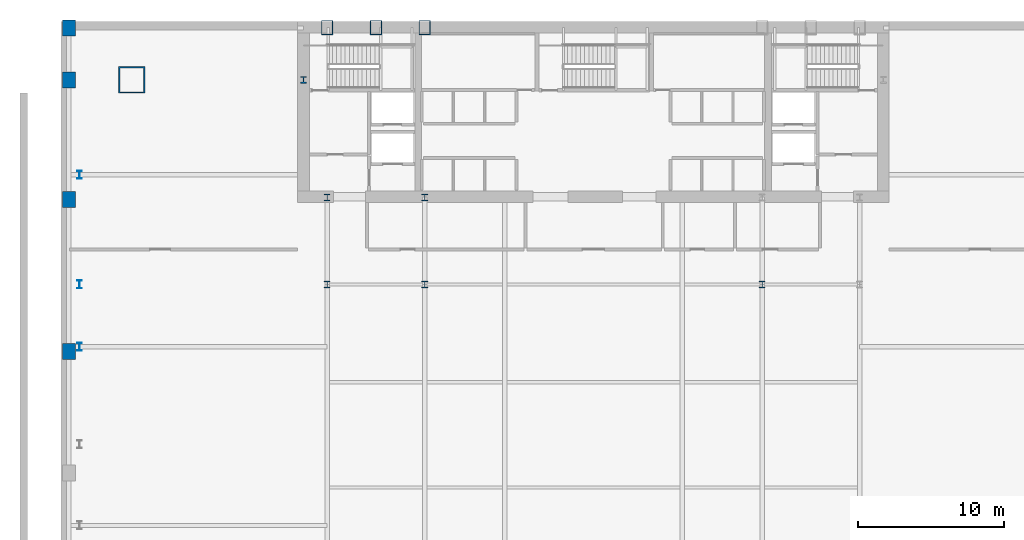
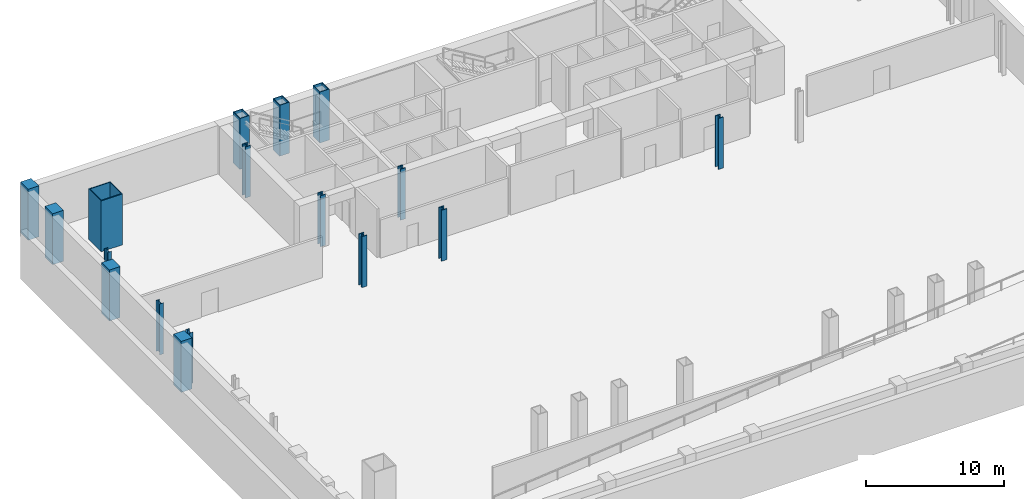
# One storey, part 3 of 10: 17 columns.
"""IFC4 building model written with IfcOpenShell, lengths in metres."""

from ifc_helpers import new_model, si_unit, direction, frame, origin, origin_2d, place, context, subcontext, project, spatial, rectangle, hollow_rectangle, i_section, extrude, material, material_profile, profile_set, type_object, element, save


model = new_model("IFC4")

# Units and contexts
model_context = context("Model", 3, precision=1e-05, world=origin(), true_north=direction((0.0, 1.0)))
body_context = subcontext(model_context, "Body", "Model", "MODEL_VIEW")
ifc_project = project(units=[si_unit("LENGTHUNIT", "METRE"), si_unit("AREAUNIT", "SQUARE_METRE"), si_unit("VOLUMEUNIT", "CUBIC_METRE"), si_unit("PLANEANGLEUNIT", "RADIAN"), si_unit("MASSUNIT", "GRAM", prefix="KILO")], contexts=[model_context])

# Site, building, storey
site_placement = place(None, origin())
site = spatial("IfcSite", under=ifc_project, at=site_placement, CompositionType="ELEMENT")
building_placement = place(site_placement, origin())
building = spatial("IfcBuilding", under=site, at=building_placement, Name="Khoronbel Lancet Exchange", CompositionType="ELEMENT")
storey_placement = place(building_placement, frame((0.0, 0.0, -4.5)))
storey = spatial("IfcBuildingStorey", under=building, at=storey_placement, Name="B1", CompositionType="ELEMENT", Elevation=-4.5)

# Columns
ifc_material_1 = material(Name="Steel S460", Category="steel")
ifc_material_profile_1 = material_profile(ifc_material_1, hollow_rectangle(XDim=0.800048828125, YDim=1.0, WallThickness=0.054931640625, at=origin_2d()), Name="BOX 1000x800x55")
ifc_profile_set_1 = profile_set([ifc_material_profile_1], Name="Steel S460")
column_type_1 = type_object("IfcColumnType", Name="COL-EC1", PredefinedType="COLUMN", material=ifc_profile_set_1)
for number, where, z_axis, x_axis, name in (
    (1, (18.22509765625, 53.280029296875, 0.0), (0.0, 0.0, 1.0), (1.0, 0.0, 0.0), "Structural column NC-W1 B1"),
    (2, (21.5625, 53.280029296875, 0.0), (0.0, 0.0, 1.0), (1.0, 0.0, 0.0), "Structural column NC-WM B1"),
    (3, (24.89990234375, 53.280029296875, 0.0), (0.0, 0.0, 1.0), (1.0, 0.0, 0.0), "Structural column NC-W2 B1"),
):
    element("IfcColumn", number, at=place(storey_placement, frame(where, z_axis=z_axis, x_axis=x_axis)), inside=storey, type_object=column_type_1, Name=name, PredefinedType="COLUMN", context=body_context, shape_type="SweptSolid", body=[
        extrude(hollow_rectangle(XDim=0.800048828125, YDim=1.0, WallThickness=0.054931640625, at=origin_2d()), origin(), (0.0, 0.0, 1.0), 4.5),
    ])
ifc_material_profile_2 = material_profile(ifc_material_1, i_section(OverallWidth=0.424072265625, OverallDepth=0.47412109375, WebThickness=0.047607421875, FlangeThickness=0.076904296875, at=origin_2d()), Name="HD 400x634")
ifc_profile_set_2 = profile_set([ifc_material_profile_2], Name="Steel S460")
column_type_2 = type_object("IfcColumnType", Name="COL-IC1", PredefinedType="COLUMN", material=ifc_profile_set_2)
for number, where, z_axis, x_axis, name in (
    (4, (16.60009765625, 49.699951171875, 0.0), (0.0, 0.0, 1.0), (1.0, 0.0, 0.0), "Core-flank plumb transfer column CFW B1"),
    (5, (18.22509765625, 35.699951171875, 0.0), (0.0, 0.0, 1.0), (1.0, 0.0, 0.0), "Spine gravity column TC1 B1"),
    (6, (18.22509765625, 41.64990234375, 0.0), (0.0, 0.0, 1.0), (1.0, 0.0, 0.0), "Core-embedded steel column CTC1 B1"),
    (7, (24.89990234375, 35.699951171875, 0.0), (0.0, 0.0, 1.0), (1.0, 0.0, 0.0), "Spine gravity column TC2 B1"),
    (8, (24.89990234375, 41.64990234375, 0.0), (0.0, 0.0, 1.0), (1.0, 0.0, 0.0), "Core-embedded steel column CTC2 B1"),
    (9, (48.0, 35.699951171875, 0.0), (0.0, 0.0, 1.0), (1.0, 0.0, 0.0), "Spine gravity column TC3 B1"),
):
    element("IfcColumn", number, at=place(storey_placement, frame(where, z_axis=z_axis, x_axis=x_axis)), inside=storey, type_object=column_type_2, Name=name, PredefinedType="COLUMN", context=body_context, shape_type="SweptSolid", body=[
        extrude(i_section(OverallWidth=0.424072265625, OverallDepth=0.47412109375, WebThickness=0.047607421875, FlangeThickness=0.076904296875, at=origin_2d()), origin(), (0.0, 0.0, 1.0), 4.5),
    ])
ifc_material_2 = material(Name="Steel S355", Category="steel")
ifc_material_profile_3 = material_profile(ifc_material_2, i_section(OverallWidth=0.300048828125, OverallDepth=0.550048828125, WebThickness=0.014892578125, FlangeThickness=0.029052734375, at=origin_2d()), Name="HEB 550")
ifc_profile_set_3 = profile_set([ifc_material_profile_3], Name="Steel S355")
column_type_3 = type_object("IfcColumnType", Name="COL-LC1", PredefinedType="COLUMN", material=ifc_profile_set_3)
for number, where, z_axis, x_axis, name in (
    (10, (1.27001953125, 31.425048828125, 0.0), (0.0, 0.0, 1.0), (1.0, 0.0, 0.0), "Structural column WC-M B1"),
    (11, (1.27001953125, 35.699951171875, 0.0), (0.0, 0.0, 1.0), (1.0, 0.0, 0.0), "Structural column WC-3 B1"),
    (12, (1.27001953125, 43.199951171875, 0.0), (0.0, 0.0, 1.0), (1.0, 0.0, 0.0), "Structural column WC-4 B1"),
):
    element("IfcColumn", number, at=place(storey_placement, frame(where, z_axis=z_axis, x_axis=x_axis)), inside=storey, type_object=column_type_3, Name=name, PredefinedType="COLUMN", context=body_context, shape_type="SweptSolid", body=[
        extrude(i_section(OverallWidth=0.300048828125, OverallDepth=0.550048828125, WebThickness=0.014892578125, FlangeThickness=0.029052734375, at=origin_2d()), origin(), (0.0, 0.0, 1.0), 4.5),
    ])
ifc_material_profile_4 = material_profile(ifc_material_1, hollow_rectangle(XDim=1.800048828125, YDim=1.800048828125, WallThickness=0.080078125, at=origin_2d()), Name="BOX 1800x1800x80")
ifc_profile_set_4 = profile_set([ifc_material_profile_4], Name="Steel S460")
column_type_4 = type_object("IfcColumnType", Name="COL-MC1", PredefinedType="COLUMN", material=ifc_profile_set_4)
column_placement = place(storey_placement, frame((4.85009765625, 49.699951171875, 0.0), z_axis=(0.0, 0.0, 1.0), x_axis=(1.0, 0.0, 0.0)))
element("IfcColumn", 13, at=column_placement, inside=storey, type_object=column_type_4, Name="Structural column MC-NW B1", PredefinedType="COLUMN", context=body_context, shape_type="SweptSolid", body=[
    extrude(hollow_rectangle(XDim=1.800048828125, YDim=1.800048828125, WallThickness=0.080078125, at=origin_2d()), origin(), (0.0, 0.0, 1.0), 4.5),
])
ifc_material_3 = material(Name="Concrete C60/75", Category="concrete")
ifc_material_profile_5 = material_profile(ifc_material_3, rectangle(XDim=0.89990234375, YDim=1.10009765625, at=origin_2d()), Name="RC 900x1100")
ifc_profile_set_5 = profile_set([ifc_material_profile_5], Name="Concrete C60/75")
column_type_5 = type_object("IfcColumnType", Name="COL-PIL1", PredefinedType="PILASTER", material=ifc_profile_set_5)
for number, where, z_axis, x_axis, name in (
    (14, (0.550048828125, 49.699951171875, 0.0), (0.0, 0.0, 1.0), (1.0, 0.0, 0.0), "Podium Gothic colonnade pilaster NWMC B1"),
    (15, (0.550048828125, 53.25, 0.0), (0.0, 0.0, 1.0), (1.0, 0.0, 0.0), "Podium Gothic colonnade pilaster NWP B1"),
    (16, (0.550048828125, 31.10009765625, 0.0), (0.0, 0.0, 1.0), (1.0, 0.0, 0.0), "Podium Gothic colonnade pilaster W3 B1"),
    (17, (0.550048828125, 41.5, 0.0), (0.0, 0.0, 1.0), (1.0, 0.0, 0.0), "Podium Gothic colonnade pilaster W4 B1"),
):
    element("IfcColumn", number, at=place(storey_placement, frame(where, z_axis=z_axis, x_axis=x_axis)), inside=storey, type_object=column_type_5, Name=name, PredefinedType="PILASTER", context=body_context, shape_type="SweptSolid", body=[
        extrude(rectangle(XDim=0.89990234375, YDim=1.10009765625, at=origin_2d()), origin(), (0.0, 0.0, 1.0), 4.5),
    ])

save(model, "model.ifc")
